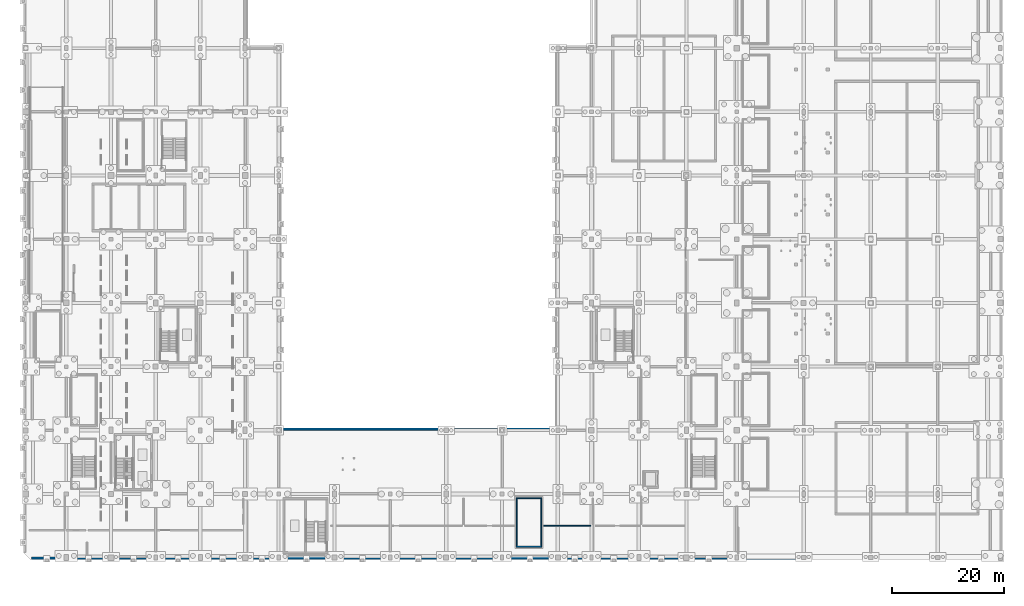
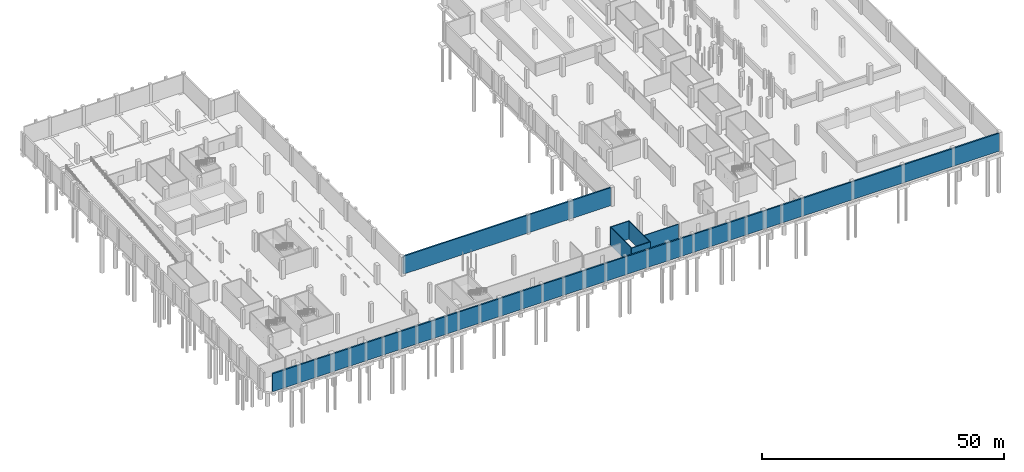
# One storey, part 23 of 34: 7 walls.
"""IFC4 building model written with IfcOpenShell, lengths in metres."""

from ifc_helpers import new_model, si_unit, direction, frame, frame_2d, origin, place, context, subcontext, project, spatial, rectangle, extrude, material, layer, layer_set, type_object, element, save


model = new_model("IFC4")

# Units and contexts
model_context = context("Model", 3, precision=1e-05, world=origin(), true_north=direction((0.0, 1.0)))
body_context = subcontext(model_context, "Body", "Model", "MODEL_VIEW")
ifc_project = project(units=[si_unit("LENGTHUNIT", "METRE"), si_unit("AREAUNIT", "SQUARE_METRE"), si_unit("VOLUMEUNIT", "CUBIC_METRE"), si_unit("PLANEANGLEUNIT", "RADIAN"), si_unit("MASSUNIT", "GRAM", prefix="KILO"), si_unit("POWERUNIT", "WATT"), si_unit("THERMODYNAMICTEMPERATUREUNIT", "KELVIN")], contexts=[model_context])

# Site, building, storey
site_placement = place(None, origin())
site = spatial("IfcSite", under=ifc_project, at=site_placement, CompositionType="ELEMENT")
building_placement = place(site_placement, origin())
building = spatial("IfcBuilding", under=site, at=building_placement, Name="Kelmbourne Parkland Aquatics Centre", CompositionType="ELEMENT")
storey_placement = place(building_placement, frame((0.0, 0.0, -4.800048828125)))
storey = spatial("IfcBuildingStorey", under=building, at=storey_placement, Name="B1", CompositionType="ELEMENT", Elevation=-4.800048828125)

# Walls
ifc_material_1 = material(Name="Concrete blockwork C32/40", Category="masonry")
ifc_layer_1 = layer(ifc_material_1, 0.199951171875)
ifc_layer_set_1 = layer_set([ifc_layer_1], Name="Concrete blockwork C32/40")
wall_type_1 = type_object("IfcWallType", Name="W-FIRE-200", PredefinedType="SOLIDWALL", material=ifc_layer_set_1)
for number, where, z_axis, x_axis, name in (
    (1, (88.5, 2.75, 0.0), (0.0, 0.0, 1.0), (1.0, 0.0, 0.0), "Foyer East Gallery Exit Stair substructure wall S"),
    (2, (88.5, 11.449951171875, 0.0), (0.0, 0.0, 1.0), (1.0, 0.0, 0.0), "Foyer East Gallery Exit Stair substructure wall N"),
):
    element("IfcWall", number, at=place(storey_placement, frame(where, z_axis=z_axis, x_axis=x_axis)), inside=storey, type_object=wall_type_1, Name=name, PredefinedType="SOLIDWALL", context=body_context, shape_type="SweptSolid", body=[
        extrude(rectangle(XDim=4.60009765625, YDim=0.199951171875, at=frame_2d((2.300048828125, 0.0))), origin(), (0.0, 0.0, 1.0), 4.52001953125),
    ])
for number, where, z_axis, x_axis, name in (
    (3, (88.60009765625, 2.85009765625, 0.0), (0.0, 0.0, 1.0), (0.0, 1.0, 0.0), "Foyer East Gallery Exit Stair substructure wall W"),
    (4, (93.0, 2.85009765625, 0.0), (0.0, 0.0, 1.0), (0.0, 1.0, 0.0), "Foyer East Gallery Exit Stair substructure wall E"),
):
    element("IfcWall", number, at=place(storey_placement, frame(where, z_axis=z_axis, x_axis=x_axis)), inside=storey, type_object=wall_type_1, Name=name, PredefinedType="SOLIDWALL", context=body_context, shape_type="SweptSolid", body=[
        extrude(rectangle(XDim=8.5, YDim=0.199951171875, at=frame_2d((4.25, 0.0))), origin(), (0.0, 0.0, 1.0), 4.52001953125),
    ])
ifc_material_2 = material(Name="Concrete C40/50", Category="concrete")
ifc_layer_2 = layer(ifc_material_2, 0.35009765625)
ifc_layer_set_2 = layer_set([ifc_layer_2], Name="Concrete C40/50")
wall_type_2 = type_object("IfcWallType", Name="W-RET-350", PredefinedType="SHEAR", material=ifc_layer_set_2)
wall_1_placement = place(storey_placement, frame((1.800048828125, 0.699951171875, 0.0), z_axis=(0.0, 0.0, 1.0), x_axis=(1.0, 0.0, 0.0)))
element("IfcWall", 5, at=wall_1_placement, inside=storey, type_object=wall_type_2, Name="Basement retaining wall RET-S1", PredefinedType="SHEAR", context=body_context, shape_type="SweptSolid", body=[
    extrude(rectangle(XDim=173.199951171875, YDim=0.35009765625, at=frame_2d((86.60009765625, 0.0))), origin(), (0.0, 0.0, 1.0), 4.52001953125),
])
wall_2_placement = place(storey_placement, frame((46.300048828125, 23.800048828125, 0.0), z_axis=(0.0, 0.0, 1.0), x_axis=(1.0, 0.0, 0.0)))
element("IfcWall", 6, at=wall_2_placement, inside=storey, type_object=wall_type_2, Name="Basement retaining wall RET-N2", PredefinedType="SHEAR", context=body_context, shape_type="SweptSolid", body=[
    extrude(rectangle(XDim=49.39990234375, YDim=0.35009765625, at=frame_2d((24.699951171875, 0.0))), origin(), (0.0, 0.0, 1.0), 4.52001953125),
])
ifc_layer_3 = layer(ifc_material_1, 0.18994140625)
ifc_layer_set_3 = layer_set([ifc_layer_3], Name="Concrete blockwork C32/40")
wall_type_3 = type_object("IfcWallType", Name="W-SOLID-190", PredefinedType="SOLIDWALL", material=ifc_layer_set_3)
wall_3_placement = place(storey_placement, frame((93.449951171875, 6.5, 0.0), z_axis=(0.0, 0.0, 1.0), x_axis=(1.0, 0.0, 0.0)))
element("IfcWall", 7, at=wall_3_placement, inside=storey, type_object=wall_type_3, Name="Interior partition PT-B1-013", PredefinedType="SOLIDWALL", context=body_context, shape_type="SweptSolid", body=[
    extrude(rectangle(XDim=8.400146484375, YDim=0.18994140625, at=frame_2d((4.2001953125, 0.0))), origin(), (0.0, 0.0, 1.0), 3.60498046875),
])

save(model, "model.ifc")
